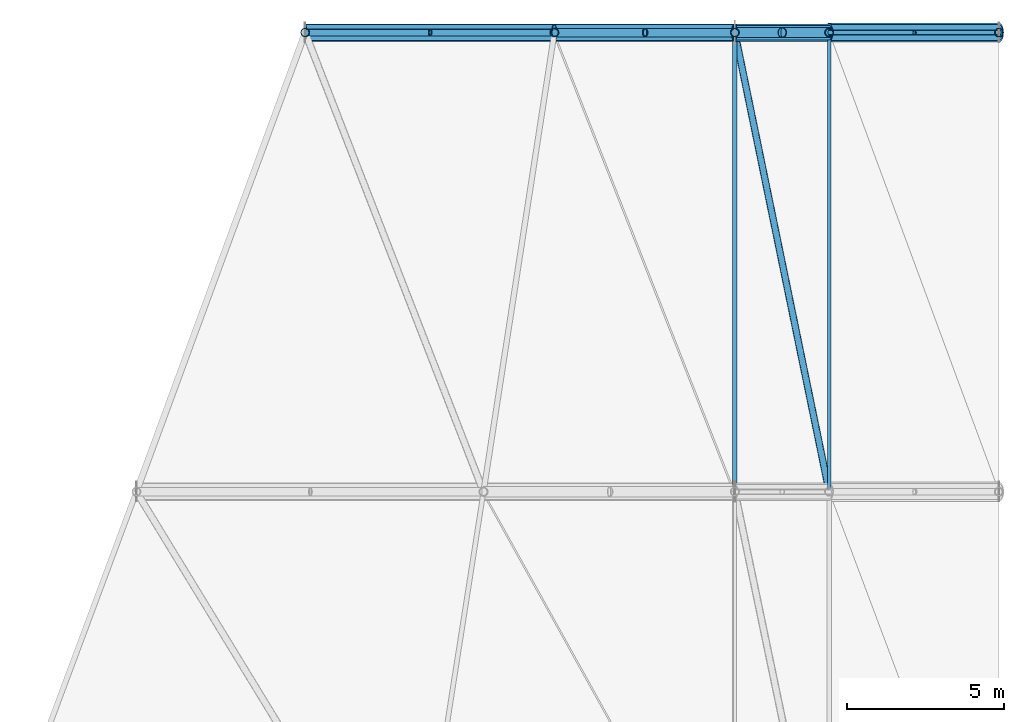
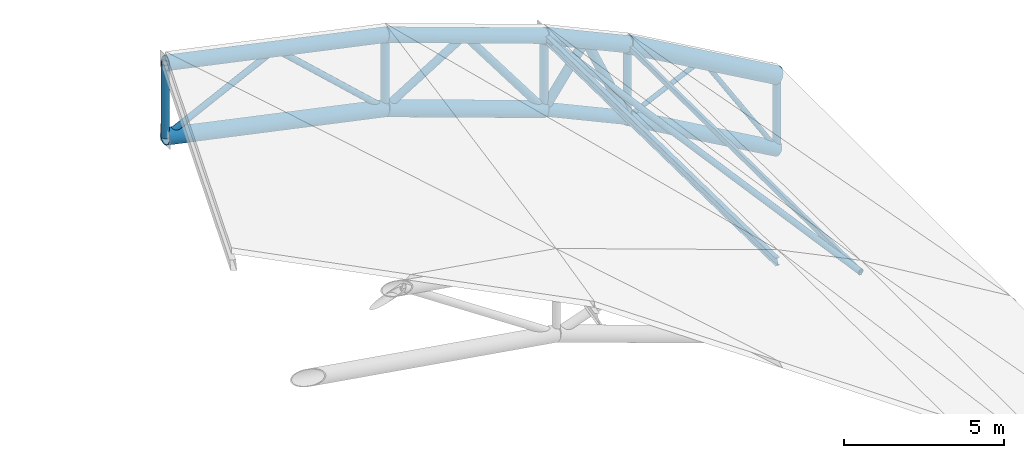
# One storey, part 23 of 36: 24 members.
"""IFC4 building model written with IfcOpenShell, lengths in metres."""

from ifc_helpers import new_model, si_unit, direction, frame, origin, origin_2d, place, context, subcontext, project, spatial, hollow_rectangle, hollow_circle, i_section, extrude, material, material_profile, profile_set, type_object, element, save


model = new_model("IFC4")

# Units and contexts
model_context = context("Model", 3, precision=1e-05, world=origin(), true_north=direction((0.0, 1.0)))
body_context = subcontext(model_context, "Body", "Model", "MODEL_VIEW")
ifc_project = project(units=[si_unit("LENGTHUNIT", "METRE"), si_unit("AREAUNIT", "SQUARE_METRE"), si_unit("VOLUMEUNIT", "CUBIC_METRE"), si_unit("PLANEANGLEUNIT", "RADIAN"), si_unit("MASSUNIT", "GRAM", prefix="KILO")], contexts=[model_context])

# Site, building, storey
site_placement = place(None, origin())
site = spatial("IfcSite", under=ifc_project, at=site_placement, CompositionType="ELEMENT")
building_placement = place(site_placement, origin())
building = spatial("IfcBuilding", under=site, at=building_placement, Name="Koshinbarg Plaza Stadium", CompositionType="ELEMENT")
storey_placement = place(building_placement, frame((0.0, 0.0, 34.199951171875)))
storey = spatial("IfcBuildingStorey", under=building, at=storey_placement, Name="RF", CompositionType="ELEMENT", Elevation=34.199951171875)

# Members
ifc_material = material(Name="Steel S355", Category="steel")
ifc_material_profile_1 = material_profile(ifc_material, hollow_circle(Radius=0.279541015625, WallThickness=0.022216796875, at=origin_2d()), Name="CHS 559x22.2")
ifc_profile_set_1 = profile_set([ifc_material_profile_1], Name="Steel S355")
member_type_1 = type_object("IfcMemberType", Name="MB-ARCH-BOT", PredefinedType="CHORD", material=ifc_profile_set_1)
member_1_placement = place(storey_placement, frame((189.39990234375, 126.5, -0.353271484375), z_axis=(-0.941982839682, 0.0, 0.335661033999), x_axis=(0.0, -1.0, 0.0)))
element("IfcMember", 1, at=member_1_placement, inside=storey, type_object=member_type_1, Name="Quarter-barrel roof truss bottom chord ERB-08-3", PredefinedType="CHORD", context=body_context, shape_type="SweptSolid", body=[
    extrude(hollow_circle(Radius=0.279541015625, WallThickness=0.022216796875, at=origin_2d()), origin(), (0.0, 0.0, 1.0), 6.09228515625),
])
member_2_placement = place(storey_placement, frame((183.6611328125, 126.5, 1.691650390625), z_axis=(-0.977875975402, 0.0, 0.209185507939), x_axis=(0.0, -1.0, 0.0)))
element("IfcMember", 2, at=member_2_placement, inside=storey, type_object=member_type_1, Name="Quarter-barrel roof truss bottom chord ERB-08-4", PredefinedType="CHORD", context=body_context, shape_type="SweptSolid", body=[
    extrude(hollow_circle(Radius=0.279541015625, WallThickness=0.022216796875, at=origin_2d()), origin(), (0.0, 0.0, 1.0), 8.104248046875),
])
ifc_material_profile_2 = material_profile(ifc_material, hollow_circle(Radius=0.25390625, WallThickness=0.02001953125, at=origin_2d()), Name="CHS 508x20")
ifc_profile_set_2 = profile_set([ifc_material_profile_2], Name="Steel S355")
member_type_2 = type_object("IfcMemberType", Name="MB-ARCH-TOP", PredefinedType="CHORD", material=ifc_profile_set_2)
member_3_placement = place(storey_placement, frame((189.39990234375, 126.5, 2.446533203125), z_axis=(-0.94197016826, 0.0, 0.335696592339), x_axis=(0.0, -1.0, 0.0)))
element("IfcMember", 3, at=member_3_placement, inside=storey, type_object=member_type_2, Name="Quarter-barrel roof truss top chord ERB-08-3", PredefinedType="CHORD", context=body_context, shape_type="SweptSolid", body=[
    extrude(hollow_circle(Radius=0.25390625, WallThickness=0.02001953125, at=origin_2d()), origin(), (0.0, 0.0, 1.0), 6.09228515625),
])
member_4_placement = place(storey_placement, frame((183.6611328125, 126.5, 4.49169921875), z_axis=(-0.977875975402, 0.0, 0.209185507939), x_axis=(0.0, -1.0, 0.0)))
element("IfcMember", 4, at=member_4_placement, inside=storey, type_object=member_type_2, Name="Quarter-barrel roof truss top chord ERB-08-4", PredefinedType="CHORD", context=body_context, shape_type="SweptSolid", body=[
    extrude(hollow_circle(Radius=0.25390625, WallThickness=0.02001953125, at=origin_2d()), origin(), (0.0, 0.0, 1.0), 8.104248046875),
])
ifc_material_profile_3 = material_profile(ifc_material, hollow_circle(Radius=0.161865234375, WallThickness=0.01416015625, at=origin_2d()), Name="CHS 323.9x14.2")
ifc_profile_set_3 = profile_set([ifc_material_profile_3], Name="Steel S355")
member_type_3 = type_object("IfcMemberType", Name="MB-BRACE-01", PredefinedType="BRACE", material=ifc_profile_set_3)
member_5_placement = place(storey_placement, frame((192.39990234375, 126.5, -1.7265625), z_axis=(-0.395199828763, 0.0, 0.918595174898), x_axis=(0.0, -1.0, 0.0)))
element("IfcMember", 5, at=member_5_placement, inside=storey, type_object=member_type_3, Name="Quarter-barrel roof truss web diagonal ERB-08-2A", PredefinedType="BRACE", context=body_context, shape_type="SweptSolid", body=[
    extrude(hollow_circle(Radius=0.161865234375, WallThickness=0.01416015625, at=origin_2d()), origin(), (0.0, 0.0, 1.0), 3.795654296875),
])
member_6_placement = place(storey_placement, frame((190.89990234375, 126.5, 1.760009765625), z_axis=(-0.578811678148, 0.0, -0.815461244474), x_axis=(0.0, -1.0, 0.0)))
element("IfcMember", 6, at=member_6_placement, inside=storey, type_object=member_type_3, Name="Quarter-barrel roof truss web diagonal ERB-08-2B", PredefinedType="BRACE", context=body_context, shape_type="SweptSolid", body=[
    extrude(hollow_circle(Radius=0.161865234375, WallThickness=0.01416015625, at=origin_2d()), origin(), (0.0, 0.0, 1.0), 2.591552734375),
])
ifc_material_profile_4 = material_profile(ifc_material, hollow_circle(Radius=0.136474609375, WallThickness=0.012451171875, at=origin_2d()), Name="CHS 273x12.5")
ifc_profile_set_4 = profile_set([ifc_material_profile_4], Name="Steel S355")
member_type_4 = type_object("IfcMemberType", Name="MB-BRACE-02", PredefinedType="BRACE", material=ifc_profile_set_4)
member_7_placement = place(storey_placement, frame((189.39990234375, 126.5, -0.353271484375), z_axis=(-0.600335027586, 0.0, 0.799748619664), x_axis=(0.0, -1.0, 0.0)))
element("IfcMember", 7, at=member_7_placement, inside=storey, type_object=member_type_4, Name="Quarter-barrel roof truss web diagonal ERB-08-3A", PredefinedType="BRACE", context=body_context, shape_type="SweptSolid", body=[
    extrude(hollow_circle(Radius=0.136474609375, WallThickness=0.012451171875, at=origin_2d()), origin(), (0.0, 0.0, 1.0), 4.779541015625),
])
member_8_placement = place(storey_placement, frame((186.530517578125, 126.5, 3.46923828125), z_axis=(-0.850092457954, 0.0, -0.526633471145), x_axis=(0.0, -1.0, 0.0)))
element("IfcMember", 8, at=member_8_placement, inside=storey, type_object=member_type_4, Name="Quarter-barrel roof truss web diagonal ERB-08-3B", PredefinedType="BRACE", context=body_context, shape_type="SweptSolid", body=[
    extrude(hollow_circle(Radius=0.136474609375, WallThickness=0.012451171875, at=origin_2d()), origin(), (0.0, 0.0, 1.0), 3.37548828125),
])
member_9_placement = place(storey_placement, frame((197.800048828125, 126.5, -4.800048828125), z_axis=(0.0, 0.0, 1.0), x_axis=(1.0, 0.0, 0.0)))
element("IfcMember", 9, at=member_9_placement, inside=storey, type_object=member_type_4, Name="Quarter-barrel roof truss post ERB-08-1", PredefinedType="BRACE", context=body_context, shape_type="SweptSolid", body=[
    extrude(hollow_circle(Radius=0.136474609375, WallThickness=0.012451171875, at=origin_2d()), origin(), (0.0, 0.0, 1.0), 2.800048828125),
])
for number, where, z_axis, x_axis, name in (
    (10, (192.39990234375, 126.5, -1.7265625), (0.0, 0.0, 1.0), (1.0, 0.0, 0.0), "Quarter-barrel roof truss post ERB-08-2"),
    (11, (189.39990234375, 126.5, -0.353271484375), (0.0, 0.0, 1.0), (1.0, 0.0, 0.0), "Quarter-barrel roof truss post ERB-08-3"),
):
    element("IfcMember", number, at=place(storey_placement, frame(where, z_axis=z_axis, x_axis=x_axis)), inside=storey, type_object=member_type_4, Name=name, PredefinedType="BRACE", context=body_context, shape_type="SweptSolid", body=[
        extrude(hollow_circle(Radius=0.136474609375, WallThickness=0.012451171875, at=origin_2d()), origin(), (0.0, 0.0, 1.0), 2.7998046875),
    ])
for number, where, z_axis, x_axis, name in (
    (12, (183.6611328125, 126.5, 1.691650390625), (0.0, 0.0, 1.0), (1.0, 0.0, 0.0), "Quarter-barrel roof truss post ERB-08-4"),
    (13, (175.736083984375, 126.5, 3.386962890625), (0.0, 0.0, 1.0), (1.0, 0.0, 0.0), "Quarter-barrel roof truss post ERB-08-5"),
):
    element("IfcMember", number, at=place(storey_placement, frame(where, z_axis=z_axis, x_axis=x_axis)), inside=storey, type_object=member_type_4, Name=name, PredefinedType="BRACE", context=body_context, shape_type="SweptSolid", body=[
        extrude(hollow_circle(Radius=0.136474609375, WallThickness=0.012451171875, at=origin_2d()), origin(), (0.0, 0.0, 1.0), 2.800048828125),
    ])
ifc_material_profile_5 = material_profile(ifc_material, hollow_circle(Radius=0.109619140625, WallThickness=0.010009765625, at=origin_2d()), Name="CHS 219.1x10")
ifc_profile_set_5 = profile_set([ifc_material_profile_5], Name="Steel S355")
member_type_5 = type_object("IfcMemberType", Name="MB-BRACE-03", PredefinedType="BRACE", material=ifc_profile_set_5)
member_10_placement = place(storey_placement, frame((183.6611328125, 126.5, 1.691650390625), z_axis=(-0.735739452383, 0.0, 0.677264688439), x_axis=(0.0, -1.0, 0.0)))
element("IfcMember", 14, at=member_10_placement, inside=storey, type_object=member_type_5, Name="Quarter-barrel roof truss web diagonal ERB-08-4A", PredefinedType="BRACE", context=body_context, shape_type="SweptSolid", body=[
    extrude(hollow_circle(Radius=0.109619140625, WallThickness=0.010009765625, at=origin_2d()), origin(), (0.0, 0.0, 1.0), 5.385986328125),
])
member_11_placement = place(storey_placement, frame((179.698486328125, 126.5, 5.33935546875), z_axis=(-0.897020684397, 0.0, -0.441988565196), x_axis=(0.0, -1.0, 0.0)))
element("IfcMember", 15, at=member_11_placement, inside=storey, type_object=member_type_5, Name="Quarter-barrel roof truss web diagonal ERB-08-4B", PredefinedType="BRACE", context=body_context, shape_type="SweptSolid", body=[
    extrude(hollow_circle(Radius=0.109619140625, WallThickness=0.010009765625, at=origin_2d()), origin(), (0.0, 0.0, 1.0), 4.417236328125),
])
member_12_placement = place(storey_placement, frame((192.39990234375, 111.89990234375, 1.2421875), z_axis=(-0.200619174552, 0.976353180059, 0.080538280279), x_axis=(-0.979535184058, -0.201273006617, 0.0)))
element("IfcMember", 16, at=member_12_placement, inside=storey, type_object=member_type_5, Name="Roof plan wind brace east bay 7.2", PredefinedType="BRACE", context=body_context, shape_type="SweptSolid", body=[
    extrude(hollow_circle(Radius=0.109619140625, WallThickness=0.010009765625, at=origin_2d()), origin(), (0.0, 0.0, 1.0), 14.95361328125),
])
ifc_material_profile_6 = material_profile(ifc_material, hollow_circle(Radius=0.084228515625, WallThickness=0.008056640625, at=origin_2d()), Name="CHS 168.3x8")
ifc_profile_set_6 = profile_set([ifc_material_profile_6], Name="Steel S355")
member_type_6 = type_object("IfcMemberType", Name="MB-BRACE-04", PredefinedType="BRACE", material=ifc_profile_set_6)
member_13_placement = place(storey_placement, frame((197.800048828125, 126.5, -4.800048828125), z_axis=(-0.528524662436, 0.0, 0.84891794727), x_axis=(0.0, -1.0, 0.0)))
element("IfcMember", 17, at=member_13_placement, inside=storey, type_object=member_type_6, Name="Quarter-barrel roof truss web diagonal ERB-08-1A", PredefinedType="BRACE", context=body_context, shape_type="SweptSolid", body=[
    extrude(hollow_circle(Radius=0.084228515625, WallThickness=0.008056640625, at=origin_2d()), origin(), (0.0, 0.0, 1.0), 5.1083984375),
])
member_14_placement = place(storey_placement, frame((195.10009765625, 126.5, -0.46337890625), z_axis=(-0.905785208446, 0.0, -0.423737130967), x_axis=(0.0, -1.0, 0.0)))
element("IfcMember", 18, at=member_14_placement, inside=storey, type_object=member_type_6, Name="Quarter-barrel roof truss web diagonal ERB-08-1B", PredefinedType="BRACE", context=body_context, shape_type="SweptSolid", body=[
    extrude(hollow_circle(Radius=0.084228515625, WallThickness=0.008056640625, at=origin_2d()), origin(), (0.0, 0.0, 1.0), 2.98095703125),
])
ifc_material_profile_7 = material_profile(ifc_material, hollow_circle(Radius=0.304931640625, WallThickness=0.02490234375, at=origin_2d()), Name="CHS 610x25")
ifc_profile_set_7 = profile_set([ifc_material_profile_7], Name="Steel S355")
member_type_7 = type_object("IfcMemberType", Name="MB-CHORD-01", PredefinedType="CHORD", material=ifc_profile_set_7)
member_15_placement = place(storey_placement, frame((197.800048828125, 126.5, -2.0), z_axis=(-0.869112287244, 0.0, 0.494614832128), x_axis=(0.0, -1.0, 0.0)))
element("IfcMember", 19, at=member_15_placement, inside=storey, type_object=member_type_7, Name="Quarter-barrel roof truss top chord ERB-08-1", PredefinedType="CHORD", context=body_context, shape_type="SweptSolid", body=[
    extrude(hollow_circle(Radius=0.304931640625, WallThickness=0.02490234375, at=origin_2d()), origin(), (0.0, 0.0, 1.0), 6.21337890625),
])
ifc_material_profile_8 = material_profile(ifc_material, hollow_circle(Radius=0.279541015625, WallThickness=0.022216796875, at=origin_2d()), Name="CHS 559x22.2")
ifc_profile_set_8 = profile_set([ifc_material_profile_8], Name="Steel S355")
member_type_8 = type_object("IfcMemberType", Name="MB-CHORD-02", PredefinedType="CHORD", material=ifc_profile_set_8)
member_16_placement = place(storey_placement, frame((192.39990234375, 126.5, 1.0732421875), z_axis=(-0.909260911954, 0.0, 0.416226613748), x_axis=(0.0, -1.0, 0.0)))
element("IfcMember", 20, at=member_16_placement, inside=storey, type_object=member_type_8, Name="Quarter-barrel roof truss top chord ERB-08-2", PredefinedType="CHORD", context=body_context, shape_type="SweptSolid", body=[
    extrude(hollow_circle(Radius=0.279541015625, WallThickness=0.022216796875, at=origin_2d()), origin(), (0.0, 0.0, 1.0), 3.29931640625),
])
ifc_material_profile_9 = material_profile(ifc_material, hollow_circle(Radius=0.25390625, WallThickness=0.02001953125, at=origin_2d()), Name="CHS 508x20")
ifc_profile_set_9 = profile_set([ifc_material_profile_9], Name="Steel S355")
member_type_9 = type_object("IfcMemberType", Name="MB-CHORD-03", PredefinedType="CHORD", material=ifc_profile_set_9)
member_17_placement = place(storey_placement, frame((197.800048828125, 126.5, -4.800048828125), z_axis=(-0.869095396141, 0.0, 0.494644511145), x_axis=(0.0, -1.0, 0.0)))
element("IfcMember", 21, at=member_17_placement, inside=storey, type_object=member_type_9, Name="Quarter-barrel roof truss bottom chord ERB-08-1", PredefinedType="CHORD", context=body_context, shape_type="SweptSolid", body=[
    extrude(hollow_circle(Radius=0.25390625, WallThickness=0.02001953125, at=origin_2d()), origin(), (0.0, 0.0, 1.0), 6.213623046875),
])
ifc_material_profile_10 = material_profile(ifc_material, hollow_circle(Radius=0.228515625, WallThickness=0.02001953125, at=origin_2d()), Name="CHS 457x20")
ifc_profile_set_10 = profile_set([ifc_material_profile_10], Name="Steel S355")
member_type_10 = type_object("IfcMemberType", Name="MB-CHORD-04", PredefinedType="CHORD", material=ifc_profile_set_10)
member_18_placement = place(storey_placement, frame((192.39990234375, 126.5, -1.7265625), z_axis=(-0.909260911954, 0.0, 0.416226613748), x_axis=(0.0, -1.0, 0.0)))
element("IfcMember", 22, at=member_18_placement, inside=storey, type_object=member_type_10, Name="Quarter-barrel roof truss bottom chord ERB-08-2", PredefinedType="CHORD", context=body_context, shape_type="SweptSolid", body=[
    extrude(hollow_circle(Radius=0.228515625, WallThickness=0.02001953125, at=origin_2d()), origin(), (0.0, 0.0, 1.0), 3.29931640625),
])
ifc_material_profile_11 = material_profile(ifc_material, hollow_rectangle(XDim=0.10009765625, YDim=0.199951171875, WallThickness=0.008056640625, at=origin_2d()), Name="RHS 200x100x8")
ifc_profile_set_11 = profile_set([ifc_material_profile_11], Name="Steel S355")
member_type_11 = type_object("IfcMemberType", Name="MB-PURL-03", PredefinedType="PURLIN", material=ifc_profile_set_11)
member_19_placement = place(storey_placement, frame((192.39990234375, 111.89990234375, 1.22216796875), z_axis=(0.0, 0.999933250011, -0.011554026216), x_axis=(-1.0, 0.0, 0.0)))
element("IfcMember", 23, at=member_19_placement, inside=storey, type_object=member_type_11, Name="Roof longitudinal purlin east bay 7.2", PredefinedType="PURLIN", context=body_context, shape_type="SweptSolid", body=[
    extrude(hollow_rectangle(XDim=0.10009765625, YDim=0.199951171875, WallThickness=0.008056640625, at=origin_2d()), origin(), (0.0, 0.0, 1.0), 14.60107421875),
])
ifc_material_profile_12 = material_profile(ifc_material, i_section(OverallWidth=0.14990234375, OverallDepth=0.300048828125, WebThickness=0.007080078125, FlangeThickness=0.0107421875, at=origin_2d()), Name="IPE 300")
ifc_profile_set_12 = profile_set([ifc_material_profile_12], Name="Steel S355")
member_type_12 = type_object("IfcMemberType", Name="MB-PURL-04", PredefinedType="PURLIN", material=ifc_profile_set_12)
member_20_placement = place(storey_placement, frame((189.39990234375, 111.89990234375, 2.677001953125), z_axis=(0.0, 0.999853144356, -0.017137377896), x_axis=(-1.0, 0.0, 0.0)))
element("IfcMember", 24, at=member_20_placement, inside=storey, type_object=member_type_12, Name="Roof longitudinal purlin east bay 7.3", PredefinedType="PURLIN", context=body_context, shape_type="SweptSolid", body=[
    extrude(i_section(OverallWidth=0.14990234375, OverallDepth=0.300048828125, WebThickness=0.007080078125, FlangeThickness=0.0107421875, at=origin_2d()), origin(), (0.0, 0.0, 1.0), 14.602294921875),
])

save(model, "model.ifc")
